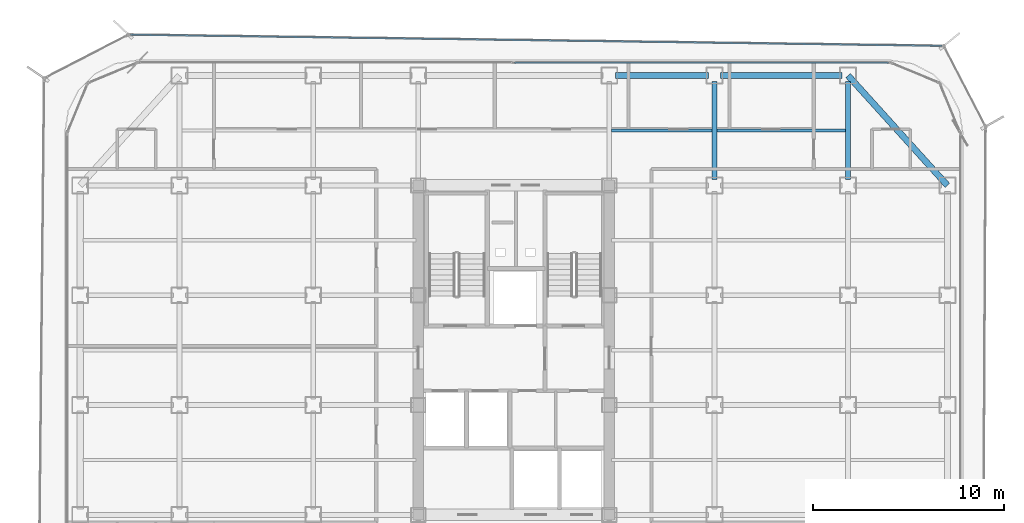
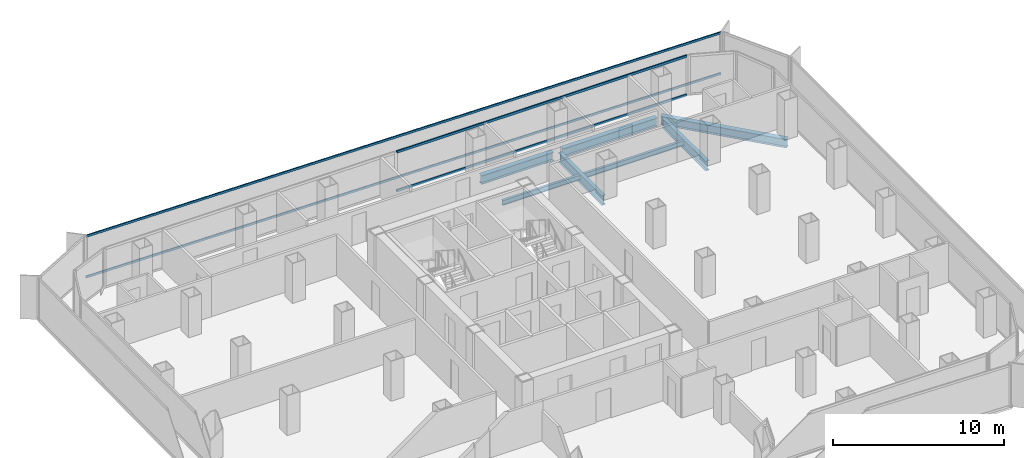
# One storey, part 13 of 21: 7 beams, 4 members, 2 elements without a shape of their own.
"""IFC4 building model written with IfcOpenShell, lengths in metres."""

import ifcopenshell
import ifcopenshell.guid

model = None  # the IFC model being written
_history = None  # IfcOwnerHistory: only IFC2X3 demands one
_inside = {}  # id of a spatial element -> (the spatial element, [elements in it])
_under = {}  # id of a project, library or spatial element -> (it, [spatial elements below it])
_declared = {}  # id of a project -> (the project, [libraries it declares])
_typed = {}  # id of a type object -> (the type object, [elements of that type])
_made_of = {}  # id of a material, layer set ... -> (it, [elements and type objects made of it])


def new_model(schema):
    """Start an empty IFC model of exactly this schema.

    Asked for "IFC4X3", IfcOpenShell would pick the latest addendum, in which some entities
    have other attributes; the version numbers below select the first issue.
    IFC2X3 requires an IfcOwnerHistory on every rooted entity: one is made here for all.
    """
    global model, _history
    if schema == "IFC4X3":
        model = ifcopenshell.file(schema_version=(4, 3, 0, 0))
    else:
        model = ifcopenshell.file(schema=schema)
    _inside.clear()
    _under.clear()
    _declared.clear()
    _typed.clear()
    _made_of.clear()
    _history = None
    if model.schema == "IFC2X3":
        org = make("IfcOrganization", Name="unknown")
        user = make(
            "IfcPersonAndOrganization",
            ThePerson=make("IfcPerson", FamilyName="unknown"),
            TheOrganization=org,
        )
        app = make(
            "IfcApplication",
            ApplicationDeveloper=org,
            Version="unknown",
            ApplicationFullName="unknown",
            ApplicationIdentifier="unknown",
        )
        _history = make(
            "IfcOwnerHistory",
            OwningUser=user,
            OwningApplication=app,
            ChangeAction="ADDED",
            CreationDate=0,
        )
    return model


def make(cls, **values):
    """One entity of the class cls with the attributes given. An attribute that is None is left unset."""
    return model.create_entity(
        cls, **{name: value for name, value in values.items() if value is not None}
    )


def rooted(cls, **values):
    """An entity with a GlobalId (a new one), such as an element, a storey or a relation."""
    return make(cls, GlobalId=ifcopenshell.guid.new(), OwnerHistory=_history, **values)


def si_unit(unit_type, name, prefix=None):
    """IfcSIUnit, for example si_unit("LENGTHUNIT", "METRE", prefix="MILLI")."""
    return make("IfcSIUnit", UnitType=unit_type, Prefix=prefix, Name=name)


def assignment(units):
    """IfcUnitAssignment: the units of a project."""
    return None if units is None else make("IfcUnitAssignment", Units=units)


def point(xyz):
    """IfcCartesianPoint."""
    return None if xyz is None else make("IfcCartesianPoint", Coordinates=xyz)


def direction(xyz):
    """IfcDirection."""
    return None if xyz is None else make("IfcDirection", DirectionRatios=xyz)


def frame(location, z_axis=None, x_axis=None):
    """IfcAxis2Placement3D, a coordinate frame: its origin and axes. An axis left out is left unset."""
    return make(
        "IfcAxis2Placement3D",
        Location=point(location),
        Axis=direction(z_axis),
        RefDirection=direction(x_axis),
    )


def frame_2d(location, x_axis=None):
    """IfcAxis2Placement2D, a coordinate frame in the plane: its origin and x axis."""
    return make(
        "IfcAxis2Placement2D", Location=point(location), RefDirection=direction(x_axis)
    )


def origin():
    """The frame at (0, 0, 0) with its axes left unset."""
    return frame((0.0, 0.0, 0.0))


def origin_2d():
    """The frame at (0, 0) in the plane with its x axis left unset."""
    return frame_2d((0.0, 0.0))


def place(relative_to, where):
    """IfcLocalPlacement: puts the frame where relative to a parent placement (None: the world)."""
    return make(
        "IfcLocalPlacement", PlacementRelTo=relative_to, RelativePlacement=where
    )


def context(
    kind, dimensions, precision=None, world=None, true_north=None, identifier=None
):
    """IfcGeometricRepresentationContext, for example the 3D "Model" context."""
    return make(
        "IfcGeometricRepresentationContext",
        ContextIdentifier=identifier,
        ContextType=kind,
        CoordinateSpaceDimension=dimensions,
        Precision=precision,
        WorldCoordinateSystem=world,
        TrueNorth=true_north,
    )


def subcontext(parent, identifier, kind, view, scale=None):
    """IfcGeometricRepresentationSubContext, for example "Body" below "Model"."""
    return make(
        "IfcGeometricRepresentationSubContext",
        ContextIdentifier=identifier,
        ContextType=kind,
        ParentContext=parent,
        TargetScale=scale,
        TargetView=view,
    )


def project(units=None, contexts=None):
    """IfcProject with its units and contexts."""
    return rooted(
        "IfcProject",
        Name="project",
        RepresentationContexts=contexts,
        UnitsInContext=assignment(units),
    )


def spatial(cls, under=None, at=None, **own):
    """A site, building, storey or space (cls), placed at a placement, below another one or the project."""
    s = rooted(cls, ObjectPlacement=at, **own)
    if under is not None:
        _under.setdefault(under.id(), (under, []))[1].append(s)
    return s


def profile(cls, at=None, kind="AREA", **sizes):
    """A parametric profile (cls). Its sizes go by their IFC names, for example OverallWidth=200.0."""
    return make(cls, ProfileType=kind, Position=at, **sizes)


def hollow_rectangle(**sizes):
    """IfcRectangleHollowProfileDef."""
    return profile("IfcRectangleHollowProfileDef", **sizes)


def i_section(**sizes):
    """IfcIShapeProfileDef."""
    return profile("IfcIShapeProfileDef", **sizes)


def extrude(swept, where, along, depth):
    """IfcExtrudedAreaSolid: the profile swept, set in the frame where, extruded along a direction by depth."""
    return make(
        "IfcExtrudedAreaSolid",
        SweptArea=swept,
        Position=where,
        ExtrudedDirection=direction(along),
        Depth=depth,
    )


def shape(context_of_items, identifier, shape_type, items):
    """IfcShapeRepresentation: the items that make up one representation, for example the "Body"."""
    return make(
        "IfcShapeRepresentation",
        ContextOfItems=context_of_items,
        RepresentationIdentifier=identifier,
        RepresentationType=shape_type,
        Items=items,
    )


def source(mapping_origin, context_of_items, identifier, shape_type, items):
    """IfcRepresentationMap: a shape defined once, which mapped items show again and again."""
    return make(
        "IfcRepresentationMap",
        MappingOrigin=mapping_origin,
        MappedRepresentation=shape(context_of_items, identifier, shape_type, items),
    )


def transform(
    local_origin,
    x_axis=None,
    y_axis=None,
    z_axis=None,
    scale=None,
    scale2=None,
    scale3=None,
    uniform=True,
):
    """IfcCartesianTransformationOperator3D, or its non-uniform kind. x_axis, y_axis, z_axis: its Axis1, 2, 3."""
    if uniform:
        return make(
            "IfcCartesianTransformationOperator3D",
            Axis1=direction(x_axis),
            Axis2=direction(y_axis),
            LocalOrigin=point(local_origin),
            Scale=scale,
            Axis3=direction(z_axis),
        )
    return make(
        "IfcCartesianTransformationOperator3DnonUniform",
        Axis1=direction(x_axis),
        Axis2=direction(y_axis),
        LocalOrigin=point(local_origin),
        Scale=scale,
        Axis3=direction(z_axis),
        Scale2=scale2,
        Scale3=scale3,
    )


def mapped(mapping_source, mapping_target):
    """IfcMappedItem: shows the shape of a source again, moved by a transform."""
    return make(
        "IfcMappedItem", MappingSource=mapping_source, MappingTarget=mapping_target
    )


def material(Name=None, Category=None):
    """IfcMaterial."""
    return make("IfcMaterial", Name=Name, Category=Category)


def layer(
    of_material, thickness, ventilated=None, Name=None, Category=None, Priority=None
):
    """IfcMaterialLayer: one layer of a wall or slab, of a material (None: an air gap)."""
    return make(
        "IfcMaterialLayer",
        Material=of_material,
        LayerThickness=thickness,
        IsVentilated=ventilated,
        Name=Name,
        Category=Category,
        Priority=Priority,
    )


def layer_set(layers, Name=None):
    """IfcMaterialLayerSet."""
    return make("IfcMaterialLayerSet", MaterialLayers=layers, LayerSetName=Name)


def material_profile(
    of_material, cross_section, Name=None, Category=None, Priority=None
):
    """IfcMaterialProfile: a cross section and its material."""
    return make(
        "IfcMaterialProfile",
        Name=Name,
        Material=of_material,
        Profile=cross_section,
        Priority=Priority,
        Category=Category,
    )


def profile_set(profiles, Name=None, composite=None):
    """IfcMaterialProfileSet."""
    return make(
        "IfcMaterialProfileSet",
        Name=Name,
        MaterialProfiles=profiles,
        CompositeProfile=composite,
    )


def made_of(thing, what):
    """Note that an element or type object is made of a material, layer set ...; save() writes the relation."""
    if what is not None:
        _made_of.setdefault(what.id(), (what, []))[1].append(thing)
    return thing


def type_object(cls, material=None, **own):
    """A type object (cls), such as IfcWallType, which elements share."""
    return made_of(rooted(cls, **own), material)


def element(
    cls,
    number,
    at=None,
    inside=None,
    cuts=None,
    type_object=None,
    material=None,
    context=None,
    identifier="Body",
    shape_type=None,
    held_by="IfcProductDefinitionShape",
    body=None,
    shapes=None,
    **own,
):
    """One element of the class cls, such as IfcWall. Its Tag is "e" and its number.

    at: its placement. inside: the storey or other place that contains it. cuts: it is an
    opening in that element (IfcRelVoidsElement). A single representation is given by context,
    identifier, shape_type and body (its items); several are given by shapes. held_by: the class
    of the entity that holds the representations. save() writes the other relations.
    """
    e = rooted(cls, Tag="e%d" % number, ObjectPlacement=at, **own)
    if body is not None:
        shapes = [shape(context, identifier, shape_type, body)]
    if shapes is not None:
        e.Representation = make(held_by, Representations=shapes)
    if inside is not None:
        _inside.setdefault(inside.id(), (inside, []))[1].append(e)
    if cuts is not None:
        rooted(
            "IfcRelVoidsElement", RelatingBuildingElement=cuts, RelatedOpeningElement=e
        )
    if type_object is not None:
        _typed.setdefault(type_object.id(), (type_object, []))[1].append(e)
    return made_of(e, material)


def aggregate(whole, parts):
    """IfcRelAggregates: a whole, such as a stair, and the parts it consists of."""
    return rooted("IfcRelAggregates", RelatingObject=whole, RelatedObjects=parts)


def save(model, path):
    """Write the relations noted so far, then the file.

    IfcRelAggregates (storeys below a building ...), IfcRelContainedInSpatialStructure (elements
    in a storey), IfcRelDefinesByType, IfcRelAssociatesMaterial and IfcRelDeclares: one each for
    every whole, place, type object, material and project.
    """
    for whole, parts in _under.values():
        aggregate(whole, parts)
    for where, things in _inside.values():
        rooted(
            "IfcRelContainedInSpatialStructure",
            RelatedElements=things,
            RelatingStructure=where,
        )
    for kind, things in _typed.values():
        rooted("IfcRelDefinesByType", RelatedObjects=things, RelatingType=kind)
    for what, things in _made_of.values():
        rooted("IfcRelAssociatesMaterial", RelatedObjects=things, RelatingMaterial=what)
    for by, libraries in _declared.values():
        rooted("IfcRelDeclares", RelatingContext=by, RelatedDefinitions=libraries)
    model.write(path)


model = new_model("IFC4")

# Units and contexts
model_context = context("Model", 3, precision=1e-05, world=origin(), true_north=direction((0.0, 1.0)))
body_context = subcontext(model_context, "Body", "Model", "MODEL_VIEW")
ifc_project = project(units=[si_unit("LENGTHUNIT", "METRE"), si_unit("AREAUNIT", "SQUARE_METRE"), si_unit("VOLUMEUNIT", "CUBIC_METRE"), si_unit("PLANEANGLEUNIT", "RADIAN"), si_unit("MASSUNIT", "GRAM", prefix="KILO")], contexts=[model_context])

# Site, building, storey
site_placement = place(None, origin())
site = spatial("IfcSite", under=ifc_project, at=site_placement, CompositionType="ELEMENT")
building_placement = place(site_placement, origin())
building = spatial("IfcBuilding", under=site, at=building_placement, Name="Kolveth Station Tower", CompositionType="ELEMENT")
storey_placement = place(building_placement, frame((0.0, 0.0, 148.39990234375)))
storey = spatial("IfcBuildingStorey", under=building, at=storey_placement, Name="L41", CompositionType="ELEMENT", Elevation=148.39990234375)

# Beams
ifc_material_1 = material(Name="Steel S355", Category="steel")
ifc_material_profile_1 = material_profile(ifc_material_1, i_section(OverallWidth=0.323974609375, OverallDepth=0.611083984375, WebThickness=0.0126953125, FlangeThickness=0.01904296875, at=origin_2d()), Name="W610x155")
ifc_profile_set_1 = profile_set([ifc_material_profile_1], Name="Steel S355")
beam_type_1 = type_object("IfcBeamType", Name="Beam_SP2", PredefinedType="SPANDREL", material=ifc_profile_set_1)
shared_shape_1 = source(origin(), body_context, "Body", "SweptSolid", [
    extrude(i_section(OverallWidth=0.323974609375, OverallDepth=0.611083984375, WebThickness=0.0126953125, FlangeThickness=0.01904296875, at=origin_2d()), origin(), (0.0, 0.0, 1.0), 6.35986328125),
])
beam_1_placement = place(storey_placement, frame((34.320068359375, 34.5, -0.555419921875), z_axis=(1.0, 0.0, 0.0), x_axis=(0.0, 1.0, 0.0)))
element("IfcBeam", 1, at=beam_1_placement, inside=storey, type_object=beam_type_1, Name="L41 Perimeter Spandrel BM-L41-PN-5", PredefinedType="SPANDREL", context=body_context, shape_type="MappedRepresentation", body=[
    mapped(shared_shape_1, transform((0.0, 0.0, 0.0), x_axis=(1.0, 0.0, 0.0), y_axis=(0.0, 1.0, 0.0), z_axis=(0.0, 0.0, 1.0), scale=1.0)),
])
shared_shape_2 = source(origin(), body_context, "Body", "SweptSolid", [
    extrude(i_section(OverallWidth=0.323974609375, OverallDepth=0.611083984375, WebThickness=0.0126953125, FlangeThickness=0.01904296875, at=origin_2d()), origin(), (0.0, 0.0, 1.0), 4.85986328125),
])
beam_2_placement = place(storey_placement, frame((28.820068359375, 34.5, -0.555419921875), z_axis=(1.0, 0.0, 0.0), x_axis=(0.0, 1.0, 0.0)))
element("IfcBeam", 2, at=beam_2_placement, inside=storey, type_object=beam_type_1, Name="L41 Perimeter Spandrel BM-L41-PN-4", PredefinedType="SPANDREL", context=body_context, shape_type="MappedRepresentation", body=[
    mapped(shared_shape_2, transform((0.0, 0.0, 0.0), x_axis=(1.0, 0.0, 0.0), y_axis=(0.0, 1.0, 0.0), z_axis=(0.0, 0.0, 1.0), scale=1.0)),
])
shared_shape_3 = source(origin(), body_context, "Body", "SweptSolid", [
    extrude(i_section(OverallWidth=0.323974609375, OverallDepth=0.611083984375, WebThickness=0.0126953125, FlangeThickness=0.01904296875, at=origin_2d()), origin(), (0.0, 0.0, 1.0), 7.75244140625),
])
beam_3_placement = place(storey_placement, frame((46.199951171875, 28.75, -0.555419921875), z_axis=(-0.670740965555, 0.74169168603, 0.0), x_axis=(-0.74169168603, -0.670740965555, 0.0)))
element("IfcBeam", 3, at=beam_3_placement, inside=storey, type_object=beam_type_1, Name="L41 Corner Edge Girder BM-L41-CNR-NE", PredefinedType="SPANDREL", context=body_context, shape_type="MappedRepresentation", body=[
    mapped(shared_shape_3, transform((0.0, 0.0, 0.0), x_axis=(1.0, 0.0, 0.0), y_axis=(0.0, 1.0, 0.0), z_axis=(0.0, 0.0, 1.0), scale=1.0)),
])
ifc_material_profile_2 = material_profile(ifc_material_1, i_section(OverallWidth=0.25390625, OverallDepth=0.68798828125, WebThickness=0.01318359375, FlangeThickness=0.02099609375, at=origin_2d()), Name="W690x152")
ifc_profile_set_2 = profile_set([ifc_material_profile_2], Name="Steel S355")
beam_type_2 = type_object("IfcBeamType", Name="Beam_B4", PredefinedType="BEAM", material=ifc_profile_set_2)
shared_shape_4 = source(origin(), body_context, "Body", "SweptSolid", [
    extrude(i_section(OverallWidth=0.25390625, OverallDepth=0.68798828125, WebThickness=0.01318359375, FlangeThickness=0.02099609375, at=origin_2d()), origin(), (0.0, 0.0, 1.0), 5.10986328125),
])
for number, where, z_axis, x_axis, name in (
    (4, (34.0, 29.070068359375, -0.593994140625), (0.0, 1.0, 0.0), (-1.0, 0.0, 0.0), "L41 Primary Girder BM-L41-GX340-6"),
    (5, (41.0, 29.070068359375, -0.593994140625), (0.0, 1.0, 0.0), (-1.0, 0.0, 0.0), "L41 Primary Girder BM-L41-GX410-6"),
):
    element("IfcBeam", number, at=place(storey_placement, frame(where, z_axis=z_axis, x_axis=x_axis)), inside=storey, type_object=beam_type_2, Name=name, PredefinedType="BEAM", context=body_context, shape_type="MappedRepresentation", body=[
        mapped(shared_shape_4, transform((0.0, 0.0, 0.0), x_axis=(1.0, 0.0, 0.0), y_axis=(0.0, 1.0, 0.0), z_axis=(0.0, 0.0, 1.0), scale=1.0)),
    ])
ifc_material_profile_3 = material_profile(ifc_material_1, i_section(OverallWidth=0.1708984375, OverallDepth=0.35205078125, WebThickness=0.0068359375, FlangeThickness=0.009765625, at=origin_2d()), Name="W360x44")
ifc_profile_set_3 = profile_set([ifc_material_profile_3], Name="Steel S355")
beam_type_3 = type_object("IfcBeamType", Name="Beam_J2", PredefinedType="JOIST", material=ifc_profile_set_3)
shared_shape_5 = source(origin(), body_context, "Body", "SweptSolid", [
    extrude(i_section(OverallWidth=0.1708984375, OverallDepth=0.35205078125, WebThickness=0.0068359375, FlangeThickness=0.009765625, at=origin_2d()), origin(), (0.0, 0.0, 1.0), 6.75),
])
beam_4_placement = place(storey_placement, frame((34.125, 31.625, -0.42578125), z_axis=(1.0, 0.0, 0.0), x_axis=(0.0, 1.0, 0.0)))
element("IfcBeam", 6, at=beam_4_placement, inside=storey, type_object=beam_type_3, Name="L41 Secondary Joist JST-L41-6-6", PredefinedType="JOIST", context=body_context, shape_type="MappedRepresentation", body=[
    mapped(shared_shape_5, transform((0.0, 0.0, 0.0), x_axis=(1.0, 0.0, 0.0), y_axis=(0.0, 1.0, 0.0), z_axis=(0.0, 0.0, 1.0), scale=1.0)),
])
shared_shape_6 = source(origin(), body_context, "Body", "SweptSolid", [
    extrude(i_section(OverallWidth=0.1708984375, OverallDepth=0.35205078125, WebThickness=0.0068359375, FlangeThickness=0.009765625, at=origin_2d()), origin(), (0.0, 0.0, 1.0), 5.25),
])
beam_5_placement = place(storey_placement, frame((28.625, 31.625, -0.42578125), z_axis=(1.0, 0.0, 0.0), x_axis=(0.0, 1.0, 0.0)))
element("IfcBeam", 7, at=beam_5_placement, inside=storey, type_object=beam_type_3, Name="L41 Secondary Joist JST-L41-5-6", PredefinedType="JOIST", context=body_context, shape_type="MappedRepresentation", body=[
    mapped(shared_shape_6, transform((0.0, 0.0, 0.0), x_axis=(1.0, 0.0, 0.0), y_axis=(0.0, 1.0, 0.0), z_axis=(0.0, 0.0, 1.0), scale=1.0)),
])

# Curtain wall, members
ifc_material_2 = material(Name="Aluminium 6063-T6 and low-E dark glass", Category="aluminium")
ifc_layer_1 = layer(ifc_material_2, 0.18994140625)
ifc_layer_set_1 = layer_set([ifc_layer_1], Name="Aluminium 6063-T6 and low-E dark glass")
curtain_wall_type_1 = type_object("IfcCurtainWallType", Name="CurtainWall_CW-Z2", PredefinedType="NOTDEFINED", material=ifc_layer_set_1)
curtain_wall_1_placement = place(storey_placement, origin())
curtain_wall_1 = element("IfcCurtainWall", 8, at=curtain_wall_1_placement, inside=storey, type_object=curtain_wall_type_1, Name="L41 Inner Thermal Curtain Wall 6", PredefinedType="NOTDEFINED")
ifc_material_3 = material(Name="Black anodized aluminium 6063-T6", Category="aluminium")
ifc_material_profile_4 = material_profile(ifc_material_3, hollow_rectangle(XDim=0.080078125, YDim=0.169921875, WallThickness=0.0048828125, at=origin_2d()), Name="ALU-80x170x5")
ifc_profile_set_4 = profile_set([ifc_material_profile_4], Name="Black anodized aluminium 6063-T6")
member_type_1 = type_object("IfcMemberType", Name="Transom_TR2", PredefinedType="USERDEFINED", material=ifc_profile_set_4)
shared_shape_7 = source(origin(), body_context, "Body", "SweptSolid", [
    extrude(hollow_rectangle(XDim=0.080078125, YDim=0.169921875, WallThickness=0.0048828125, at=origin_2d()), origin(), (0.0, 0.0, 1.0), 19.580078125),
])
member_1_placement = place(storey_placement, frame((43.1201171875, 35.179931640625, 0.0400390625), z_axis=(-1.0, 0.0, 0.0), x_axis=(0.0, -1.0, 0.0)))
member_1 = element("IfcMember", 9, at=member_1_placement, type_object=member_type_1, Name="CW-Z2 transom 1.1", ObjectType="TRANSOM", PredefinedType="USERDEFINED", context=body_context, shape_type="MappedRepresentation", body=[
    mapped(shared_shape_7, transform((0.0, 0.0, 0.0), x_axis=(1.0, 0.0, 0.0), y_axis=(0.0, 1.0, 0.0), z_axis=(0.0, 0.0, 1.0), scale=1.0)),
])
member_2_placement = place(storey_placement, frame((43.1201171875, 35.179931640625, 2.800048828125), z_axis=(-1.0, 0.0, 0.0), x_axis=(0.0, -1.0, 0.0)))
member_2 = element("IfcMember", 10, at=member_2_placement, type_object=member_type_1, Name="CW-Z2 transom 1.2", ObjectType="TRANSOM", PredefinedType="USERDEFINED", context=body_context, shape_type="MappedRepresentation", body=[
    mapped(shared_shape_7, transform((0.0, 0.0, 0.0), x_axis=(1.0, 0.0, 0.0), y_axis=(0.0, 1.0, 0.0), z_axis=(0.0, 0.0, 1.0), scale=1.0)),
])
aggregate(curtain_wall_1, [member_1, member_2])

ifc_material_4 = material(Name="Black anodized aluminium 6063-T6 and dark solar glass", Category="aluminium")
ifc_layer_2 = layer(ifc_material_4, 0.159912109375)
ifc_layer_set_2 = layer_set([ifc_layer_2], Name="Black anodized aluminium 6063-T6 and dark solar glass")
curtain_wall_type_2 = type_object("IfcCurtainWallType", Name="OUTER SKIN CW-OS", PredefinedType="NOTDEFINED", material=ifc_layer_set_2)
curtain_wall_2_placement = place(storey_placement, origin())
curtain_wall_2 = element("IfcCurtainWall", 11, at=curtain_wall_2_placement, inside=storey, type_object=curtain_wall_type_2, Name="L41 Outer Ventilated Skin Curtain Wall 4", PredefinedType="NOTDEFINED")
ifc_material_profile_5 = material_profile(ifc_material_3, hollow_rectangle(XDim=0.080078125, YDim=0.14990234375, WallThickness=0.0048828125, at=origin_2d()), Name="ALU-80x150x5")
ifc_profile_set_5 = profile_set([ifc_material_profile_5], Name="Black anodized aluminium 6063-T6")
member_type_2 = type_object("IfcMemberType", Name="Transom_TR-OS", PredefinedType="USERDEFINED", material=ifc_profile_set_5)
shared_shape_8 = source(origin(), body_context, "Body", "SweptSolid", [
    extrude(hollow_rectangle(XDim=0.080078125, YDim=0.14990234375, WallThickness=0.0048828125, at=origin_2d()), origin(), (0.0, 0.0, 1.0), 42.499755859375),
])
member_3_placement = place(storey_placement, frame((45.92236328125, 36.053466796875, 0.0400390625), z_axis=(-0.999905274045, 0.013763827101, 0.0), x_axis=(-0.013763827101, -0.999905274045, 0.0)))
member_3 = element("IfcMember", 12, at=member_3_placement, type_object=member_type_2, Name="CW-OS transom 1.1", ObjectType="TRANSOM", PredefinedType="USERDEFINED", context=body_context, shape_type="MappedRepresentation", body=[
    mapped(shared_shape_8, transform((0.0, 0.0, 0.0), x_axis=(1.0, 0.0, 0.0), y_axis=(0.0, 1.0, 0.0), z_axis=(0.0, 0.0, 1.0), scale=1.0)),
])
member_4_placement = place(storey_placement, frame((45.92236328125, 36.053466796875, 2.9501953125), z_axis=(-0.999905274045, 0.013763827101, 0.0), x_axis=(-0.013763827101, -0.999905274045, 0.0)))
member_4 = element("IfcMember", 13, at=member_4_placement, type_object=member_type_2, Name="CW-OS transom 1.2", ObjectType="TRANSOM", PredefinedType="USERDEFINED", context=body_context, shape_type="MappedRepresentation", body=[
    mapped(shared_shape_8, transform((0.0, 0.0, 0.0), x_axis=(1.0, 0.0, 0.0), y_axis=(0.0, 1.0, 0.0), z_axis=(0.0, 0.0, 1.0), scale=1.0)),
])
aggregate(curtain_wall_2, [member_3, member_4])

save(model, "model.ifc")
